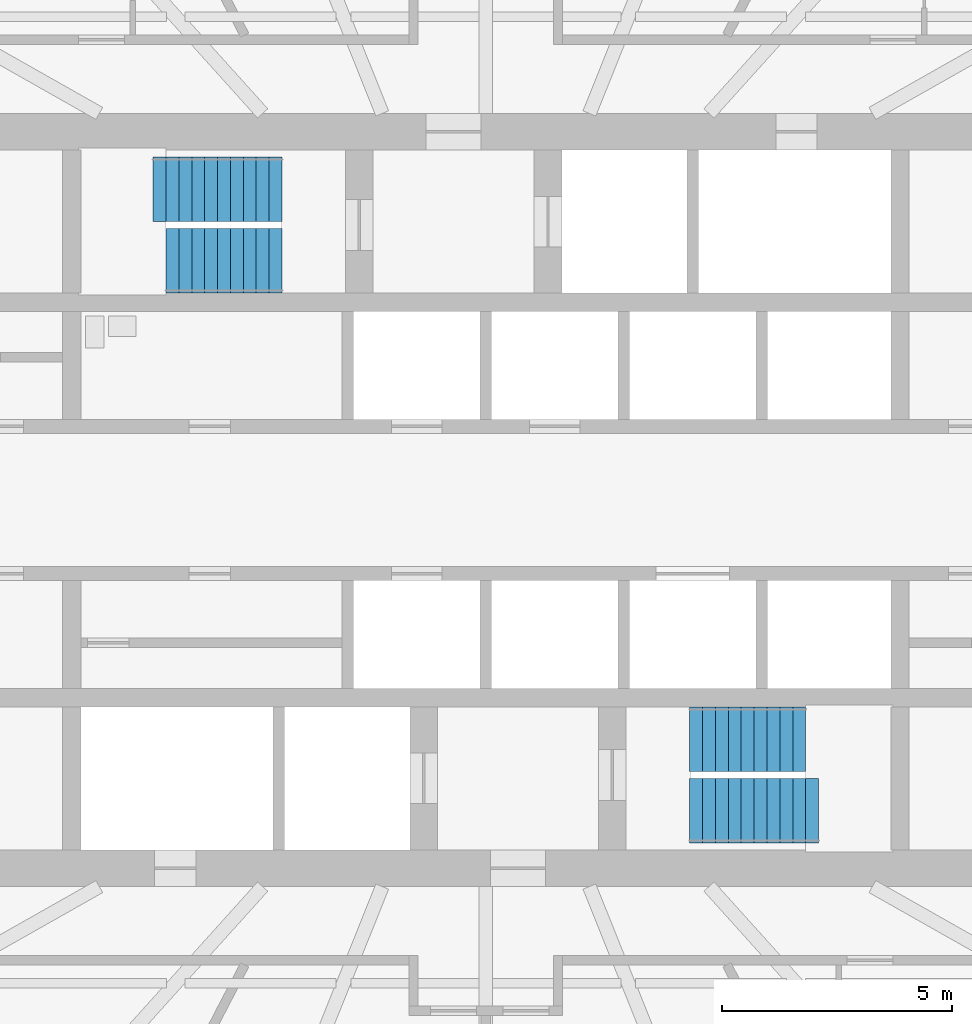
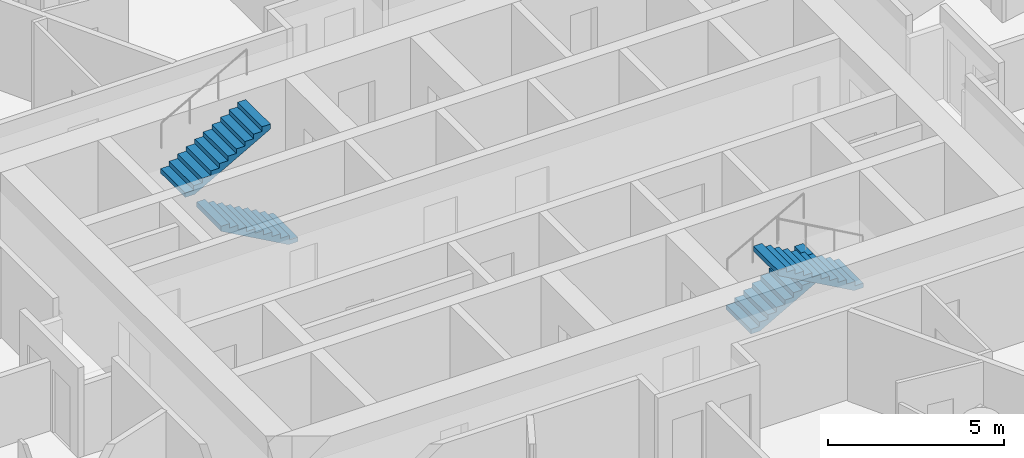
# One storey, part 14 of 16: 4 stair flights, 2 elements without a shape of their own.
"""IFC4 building model written with IfcOpenShell, lengths in metres."""

from ifc_helpers import new_model, si_unit, direction, frame, origin, place, context, subcontext, project, spatial, polyline, outline, extrude, material, type_object, element, aggregate, save


model = new_model("IFC4")

# Units and contexts
model_context = context("Model", 3, precision=1e-05, world=origin(), true_north=direction((0.0, 1.0)))
body_context = subcontext(model_context, "Body", "Model", "MODEL_VIEW")
ifc_project = project(units=[si_unit("LENGTHUNIT", "METRE"), si_unit("AREAUNIT", "SQUARE_METRE"), si_unit("VOLUMEUNIT", "CUBIC_METRE"), si_unit("PLANEANGLEUNIT", "RADIAN"), si_unit("MASSUNIT", "GRAM", prefix="KILO")], contexts=[model_context])

# Site, building, storey
site_placement = place(None, origin())
site = spatial("IfcSite", under=ifc_project, at=site_placement, CompositionType="ELEMENT")
building_placement = place(site_placement, origin())
building = spatial("IfcBuilding", under=site, at=building_placement, Name="Hankou Lantern Tower", CompositionType="ELEMENT")
storey_placement = place(building_placement, frame((0.0, 0.0, 153.300048828125)))
storey = spatial("IfcBuildingStorey", under=building, at=storey_placement, Name="L40", CompositionType="ELEMENT", Elevation=153.300048828125)

# Stair, stair flight
ifc_material_1 = material(Name="Concrete C40", Category="concrete")
stair_type = type_object("IfcStairType", Name="ST33 CORE STAIR 3300 RISE", PredefinedType="HALF_TURN_STAIR", material=ifc_material_1)
stair_1_placement = place(storey_placement, origin())
stair_1 = element("IfcStair", 1, at=stair_1_placement, inside=storey, type_object=stair_type, Name="Stair STA L40", PredefinedType="HALF_TURN_STAIR")
ifc_material_2 = material(Name="Concrete C40", Category="concrete")
stair_flight_type_1 = type_object("IfcStairFlightType", Name="CF10 CORE STAIR FLIGHT 1400 X 10 RISERS", PredefinedType="STRAIGHT", material=ifc_material_2)
stair_flight_1_placement = place(storey_placement, frame((-4.429931640625, 5.199951171875, 0.0), z_axis=(0.0, 0.0, 1.0), x_axis=(-1.0, 0.0, 0.0)))
stair_flight_1 = element("IfcStairFlight", 2, at=stair_flight_1_placement, type_object=stair_flight_type_1, Name="STA flight 1", NumberOfRisers=10, NumberOfTreads=9, PredefinedType="STRAIGHT", RiserHeight=0.157142857, TreadLength=0.28, context=body_context, shape_type="SweptSolid", body=[
    extrude(outline(polyline([(0.0, 0.0), (0.0, 0.1572265625), (0.280029296875, 0.1572265625), (0.280029296875, 0.314208984375), (0.56005859375, 0.314208984375), (0.56005859375, 0.471435546875), (0.840087890625, 0.471435546875), (0.840087890625, 0.628662109375), (1.1201171875, 0.628662109375), (1.1201171875, 0.78564453125), (1.39990234375, 0.78564453125), (1.39990234375, 0.94287109375), (1.679931640625, 0.94287109375), (1.679931640625, 1.10009765625), (1.9599609375, 1.10009765625), (1.9599609375, 1.257080078125), (2.239990234375, 1.257080078125), (2.239990234375, 1.414306640625), (2.52001953125, 1.414306640625), (2.52001953125, 1.571533203125), (2.52001953125, 1.242431640625), (0.306396484375, 0.0), (0.0, 0.0)])), frame((0.0, 0.699951171875, 0.0), z_axis=(0.0, -1.0, 0.0), x_axis=(1.0, 0.0, 0.0)), (0.0, 0.0, 1.0), 1.39990234375),
])

stair_2_placement = place(storey_placement, origin())
stair_2 = element("IfcStair", 3, at=stair_2_placement, inside=storey, type_object=stair_type, Name="Stair STB L40", PredefinedType="HALF_TURN_STAIR")
stair_flight_2_placement = place(storey_placement, frame((4.429931640625, -5.199951171875, 0.0), z_axis=(0.0, 0.0, 1.0), x_axis=(1.0, 0.0, 0.0)))
stair_flight_2 = element("IfcStairFlight", 4, at=stair_flight_2_placement, type_object=stair_flight_type_1, Name="STB flight 1", NumberOfRisers=10, NumberOfTreads=9, PredefinedType="STRAIGHT", RiserHeight=0.157142857, TreadLength=0.28, context=body_context, shape_type="SweptSolid", body=[
    extrude(outline(polyline([(0.0, 0.0), (0.0, 0.1572265625), (0.280029296875, 0.1572265625), (0.280029296875, 0.314208984375), (0.56005859375, 0.314208984375), (0.56005859375, 0.471435546875), (0.840087890625, 0.471435546875), (0.840087890625, 0.628662109375), (1.1201171875, 0.628662109375), (1.1201171875, 0.78564453125), (1.39990234375, 0.78564453125), (1.39990234375, 0.94287109375), (1.679931640625, 0.94287109375), (1.679931640625, 1.10009765625), (1.9599609375, 1.10009765625), (1.9599609375, 1.257080078125), (2.239990234375, 1.257080078125), (2.239990234375, 1.414306640625), (2.52001953125, 1.414306640625), (2.52001953125, 1.571533203125), (2.52001953125, 1.242431640625), (0.306396484375, 0.0), (0.0, 0.0)])), frame((0.0, 0.699951171875, 0.0), z_axis=(0.0, -1.0, 0.0), x_axis=(1.0, 0.0, 0.0)), (0.0, 0.0, 1.0), 1.39990234375),
])

# Stair flight
ifc_material_3 = material(Name="Concrete C40", Category="concrete")
stair_flight_type_2 = type_object("IfcStairFlightType", Name="CF11 CORE STAIR FLIGHT 1400 X 11 RISERS", PredefinedType="STRAIGHT", material=ifc_material_3)
stair_flight_3_placement = place(storey_placement, frame((-7.22998046875, 6.75, 1.5712890625), z_axis=(0.0, 0.0, 1.0), x_axis=(1.0, 0.0, 0.0)))
stair_flight_3 = element("IfcStairFlight", 5, at=stair_flight_3_placement, type_object=stair_flight_type_2, Name="STA flight 2", NumberOfRisers=11, NumberOfTreads=10, PredefinedType="STRAIGHT", RiserHeight=0.157142857, TreadLength=0.28, context=body_context, shape_type="SweptSolid", body=[
    extrude(outline(polyline([(0.0, 0.0), (0.0, 0.1572265625), (0.280029296875, 0.1572265625), (0.280029296875, 0.314208984375), (0.56005859375, 0.314208984375), (0.56005859375, 0.471435546875), (0.840087890625, 0.471435546875), (0.840087890625, 0.628662109375), (1.1201171875, 0.628662109375), (1.1201171875, 0.78564453125), (1.39990234375, 0.78564453125), (1.39990234375, 0.94287109375), (1.679931640625, 0.94287109375), (1.679931640625, 1.10009765625), (1.9599609375, 1.10009765625), (1.9599609375, 1.257080078125), (2.239990234375, 1.257080078125), (2.239990234375, 1.414306640625), (2.52001953125, 1.414306640625), (2.52001953125, 1.571533203125), (2.800048828125, 1.571533203125), (2.800048828125, 1.728515625), (2.800048828125, 1.3994140625), (0.306396484375, 0.0), (0.0, 0.0)])), frame((0.0, 0.699951171875, 0.0), z_axis=(0.0, -1.0, 0.0), x_axis=(1.0, 0.0, 0.0)), (0.0, 0.0, 1.0), 1.39990234375),
])

aggregate(stair_1, [stair_flight_1, stair_flight_3])

stair_flight_4_placement = place(storey_placement, frame((7.22998046875, -6.75, 1.5712890625), z_axis=(0.0, 0.0, 1.0), x_axis=(-1.0, 0.0, 0.0)))
stair_flight_4 = element("IfcStairFlight", 6, at=stair_flight_4_placement, type_object=stair_flight_type_2, Name="STB flight 2", NumberOfRisers=11, NumberOfTreads=10, PredefinedType="STRAIGHT", RiserHeight=0.157142857, TreadLength=0.28, context=body_context, shape_type="SweptSolid", body=[
    extrude(outline(polyline([(0.0, 0.0), (0.0, 0.1572265625), (0.280029296875, 0.1572265625), (0.280029296875, 0.314208984375), (0.56005859375, 0.314208984375), (0.56005859375, 0.471435546875), (0.840087890625, 0.471435546875), (0.840087890625, 0.628662109375), (1.1201171875, 0.628662109375), (1.1201171875, 0.78564453125), (1.39990234375, 0.78564453125), (1.39990234375, 0.94287109375), (1.679931640625, 0.94287109375), (1.679931640625, 1.10009765625), (1.9599609375, 1.10009765625), (1.9599609375, 1.257080078125), (2.239990234375, 1.257080078125), (2.239990234375, 1.414306640625), (2.52001953125, 1.414306640625), (2.52001953125, 1.571533203125), (2.800048828125, 1.571533203125), (2.800048828125, 1.728515625), (2.800048828125, 1.3994140625), (0.306396484375, 0.0), (0.0, 0.0)])), frame((0.0, 0.699951171875, 0.0), z_axis=(0.0, -1.0, 0.0), x_axis=(1.0, 0.0, 0.0)), (0.0, 0.0, 1.0), 1.39990234375),
])

aggregate(stair_2, [stair_flight_2, stair_flight_4])

save(model, "model.ifc")
